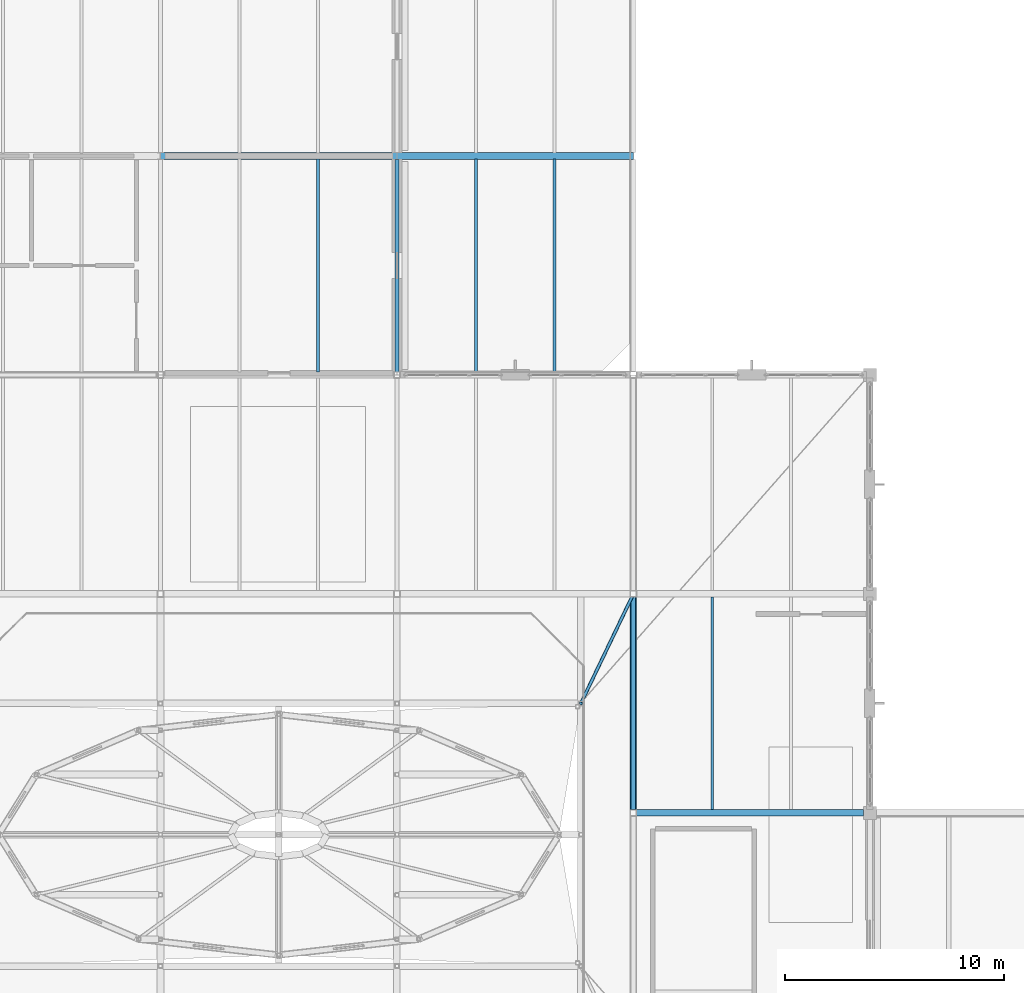
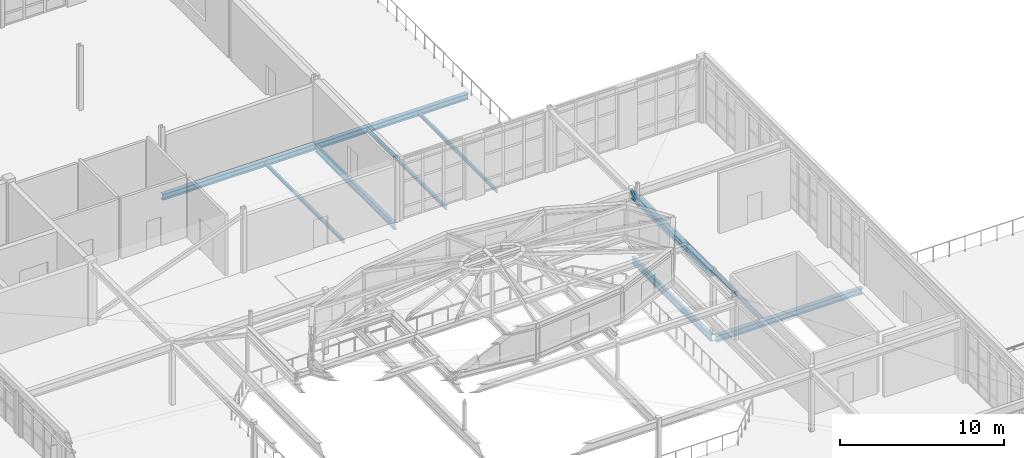
# One storey, part 40 of 86: 10 beams, 1 member.
"""IFC4 building model written with IfcOpenShell, lengths in metres."""

from ifc_helpers import new_model, si_unit, direction, frame, origin, origin_2d, place, context, subcontext, project, spatial, hollow_rectangle, i_section, extrude, material, material_profile, profile_set, type_object, element, save


model = new_model("IFC4")

# Units and contexts
model_context = context("Model", 3, precision=1e-05, world=origin(), true_north=direction((0.0, 1.0)))
body_context = subcontext(model_context, "Body", "Model", "MODEL_VIEW")
ifc_project = project(units=[si_unit("LENGTHUNIT", "METRE"), si_unit("AREAUNIT", "SQUARE_METRE"), si_unit("VOLUMEUNIT", "CUBIC_METRE"), si_unit("PLANEANGLEUNIT", "RADIAN"), si_unit("MASSUNIT", "GRAM", prefix="KILO")], contexts=[model_context])

# Site, building, storey
site_placement = place(None, origin())
site = spatial("IfcSite", under=ifc_project, at=site_placement, CompositionType="ELEMENT")
building_placement = place(site_placement, origin())
building = spatial("IfcBuilding", under=site, at=building_placement, Name="Tasgan Crest Museum", CompositionType="ELEMENT")
storey_placement = place(building_placement, frame((0.0, 0.0, 24.0)))
storey = spatial("IfcBuildingStorey", under=building, at=storey_placement, Name="L04", CompositionType="ELEMENT", Elevation=24.0)

# Beams
ifc_material_1 = material(Name="Steel S355J2", Category="steel")
ifc_material_profile_1 = material_profile(ifc_material_1, i_section(OverallWidth=0.300048828125, OverallDepth=0.43994140625, WebThickness=0.011474609375, FlangeThickness=0.02099609375, FilletRadius=0.027099609375, at=origin_2d()), Name="HEA 450")
ifc_profile_set_1 = profile_set([ifc_material_profile_1], Name="Steel S355J2")
beam_type_1 = type_object("IfcBeamType", Name="BM-G-HEA450", PredefinedType="BEAM", material=ifc_profile_set_1)
beam_1_placement = place(storey_placement, frame((97.345947265625, 62.0, -0.4599609375), z_axis=(1.0, 0.0, 0.0), x_axis=(0.0, 1.0, 0.0)))
element("IfcBeam", 1, at=beam_1_placement, inside=storey, type_object=beam_type_1, Name="Girder L04 G 97.2-108.0", PredefinedType="BEAM", context=body_context, shape_type="SweptSolid", body=[
    extrude(i_section(OverallWidth=0.300048828125, OverallDepth=0.43994140625, WebThickness=0.011474609375, FlangeThickness=0.02099609375, FilletRadius=0.027099609375, at=origin_2d()), origin(), (0.0, 0.0, 1.0), 10.358154296875),
])
for number, where, z_axis, x_axis, name in (
    (2, (75.60400390625, 92.0, -0.4599609375), (1.0, 0.0, 0.0), (0.0, 1.0, 0.0), "Girder L04 K 75.6-86.4"),
    (3, (86.404052734375, 92.0, -0.469970703125), (1.0, 0.0, 0.0), (0.0, 1.0, 0.0), "Girder L04 K 86.4-97.2"),
):
    element("IfcBeam", number, at=place(storey_placement, frame(where, z_axis=z_axis, x_axis=x_axis)), inside=storey, type_object=beam_type_1, Name=name, PredefinedType="BEAM", context=body_context, shape_type="SweptSolid", body=[
        extrude(i_section(OverallWidth=0.300048828125, OverallDepth=0.43994140625, WebThickness=0.011474609375, FlangeThickness=0.02099609375, FilletRadius=0.027099609375, at=origin_2d()), origin(), (0.0, 0.0, 1.0), 10.7919921875),
    ])
ifc_material_2 = material(Name="Steel S355J2", Category="steel")
ifc_material_profile_2 = material_profile(ifc_material_2, i_section(OverallWidth=0.300048828125, OverallDepth=0.489990234375, WebThickness=0.011962890625, FlangeThickness=0.02294921875, FilletRadius=0.027099609375, at=origin_2d()), Name="HEA 500")
ifc_profile_set_2 = profile_set([ifc_material_profile_2], Name="Steel S355J2")
beam_type_2 = type_object("IfcBeamType", Name="BM-G-HEA500", PredefinedType="BEAM", material=ifc_profile_set_2)
beam_2_placement = place(storey_placement, frame((97.199951171875, 62.14599609375, 4.35498046875), z_axis=(0.0, 1.0, 0.0), x_axis=(-1.0, 0.0, 0.0)))
element("IfcBeam", 4, at=beam_2_placement, inside=storey, type_object=beam_type_2, Name="Winter-garden roof beam 10 62-72", PredefinedType="BEAM", context=body_context, shape_type="SweptSolid", body=[
    extrude(i_section(OverallWidth=0.300048828125, OverallDepth=0.489990234375, WebThickness=0.011962890625, FlangeThickness=0.02294921875, FilletRadius=0.027099609375, at=origin_2d()), origin(), (0.0, 0.0, 1.0), 9.7080078125),
])
ifc_material_3 = material(Name="Steel S355J2", Category="steel")
ifc_material_profile_3 = material_profile(ifc_material_3, i_section(OverallWidth=0.199951171875, OverallDepth=0.5, WebThickness=0.01025390625, FlangeThickness=0.01611328125, FilletRadius=0.02099609375, at=origin_2d()), Name="IPE 500")
ifc_profile_set_3 = profile_set([ifc_material_profile_3], Name="Steel S355J2")
beam_type_3 = type_object("IfcBeamType", Name="BM-G-IPE500", PredefinedType="BEAM", material=ifc_profile_set_3)
beam_3_placement = place(storey_placement, frame((86.39990234375, 82.14501953125, -0.5), z_axis=(0.0, 1.0, 0.0), x_axis=(-1.0, 0.0, 0.0)))
element("IfcBeam", 5, at=beam_3_placement, inside=storey, type_object=beam_type_3, Name="Beam L04 9 82.0-92.0", PredefinedType="BEAM", context=body_context, shape_type="SweptSolid", body=[
    extrude(i_section(OverallWidth=0.199951171875, OverallDepth=0.5, WebThickness=0.01025390625, FlangeThickness=0.01611328125, FilletRadius=0.02099609375, at=origin_2d()), origin(), (0.0, 0.0, 1.0), 9.68505859375),
])
beam_4_placement = place(storey_placement, frame((97.199951171875, 62.14501953125, -0.489990234375), z_axis=(0.0, 1.0, 0.0), x_axis=(-1.0, 0.0, 0.0)))
element("IfcBeam", 6, at=beam_4_placement, inside=storey, type_object=beam_type_3, Name="Beam L04 10 62.0-72.0", PredefinedType="BEAM", context=body_context, shape_type="SweptSolid", body=[
    extrude(i_section(OverallWidth=0.199951171875, OverallDepth=0.5, WebThickness=0.01025390625, FlangeThickness=0.01611328125, FilletRadius=0.02099609375, at=origin_2d()), origin(), (0.0, 0.0, 1.0), 9.7099609375),
])
ifc_material_4 = material(Name="Steel S355J2", Category="steel")
ifc_material_profile_4 = material_profile(ifc_material_4, i_section(OverallWidth=0.135009765625, OverallDepth=0.27001953125, WebThickness=0.006591796875, FlangeThickness=0.01025390625, FilletRadius=0.014892578125, at=origin_2d()), Name="IPE 270")
ifc_profile_set_4 = profile_set([ifc_material_profile_4], Name="Steel S355J2")
beam_type_4 = type_object("IfcBeamType", Name="BM-J-IPE270", PredefinedType="JOIST", material=ifc_profile_set_4)
for number, where, z_axis, x_axis, name in (
    (7, (82.800048828125, 82.14501953125, -0.375), (0.0, 1.0, 0.0), (-1.0, 0.0, 0.0), "Secondary joist L04 X=82.8 Y=82.0-92.0"),
    (8, (90.0, 82.14501953125, -0.385009765625), (0.0, 1.0, 0.0), (-1.0, 0.0, 0.0), "Secondary joist L04 X=90.0 Y=82.0-92.0"),
    (9, (93.60009765625, 82.14501953125, -0.385009765625), (0.0, 1.0, 0.0), (-1.0, 0.0, 0.0), "Secondary joist L04 X=93.6 Y=82.0-92.0"),
    (10, (100.800048828125, 62.14501953125, -0.375), (0.0, 1.0, 0.0), (-1.0, 0.0, 0.0), "Secondary joist L04 X=100.8 Y=62.0-72.0"),
):
    element("IfcBeam", number, at=place(storey_placement, frame(where, z_axis=z_axis, x_axis=x_axis)), inside=storey, type_object=beam_type_4, Name=name, PredefinedType="JOIST", context=body_context, shape_type="SweptSolid", body=[
        extrude(i_section(OverallWidth=0.135009765625, OverallDepth=0.27001953125, WebThickness=0.006591796875, FlangeThickness=0.01025390625, FilletRadius=0.014892578125, at=origin_2d()), origin(), (0.0, 0.0, 1.0), 9.7099609375),
    ])

# Member
ifc_material_5 = material(Name="Steel S355K2", Category="steel")
ifc_material_profile_5 = material_profile(ifc_material_5, hollow_rectangle(XDim=0.14990234375, YDim=0.25, WallThickness=0.010009765625, InnerFilletRadius=0.010009765625, OuterFilletRadius=0.02001953125, at=origin_2d()), Name="RHS 250x150x10")
ifc_profile_set_5 = profile_set([ifc_material_profile_5], Name="Steel S355K2")
member_type = type_object("IfcMemberType", Name="MEM-DRUM-RIB", PredefinedType="RAFTER", material=ifc_profile_set_5)
member_placement = place(storey_placement, frame((97.199951171875, 72.0, 4.5), z_axis=(-0.385717184692, -0.80361016709, 0.453247121097), x_axis=(0.901529926538, -0.432716756732, 0.0)))
element("IfcMember", 11, at=member_placement, inside=storey, type_object=member_type, Name="Winter-garden lantern rib NE", PredefinedType="RAFTER", context=body_context, shape_type="SweptSolid", body=[
    extrude(hollow_rectangle(XDim=0.14990234375, YDim=0.25, WallThickness=0.010009765625, InnerFilletRadius=0.010009765625, OuterFilletRadius=0.02001953125, at=origin_2d()), origin(), (0.0, 0.0, 1.0), 6.221923828125),
])

save(model, "model.ifc")
